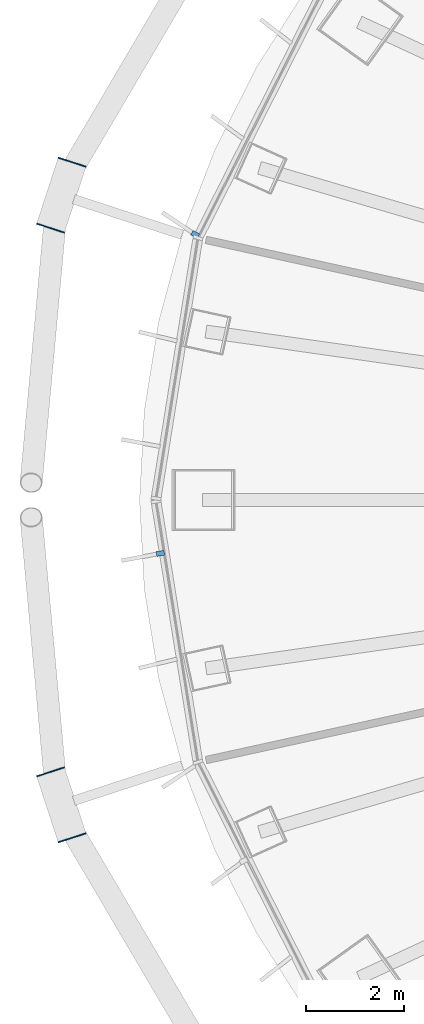
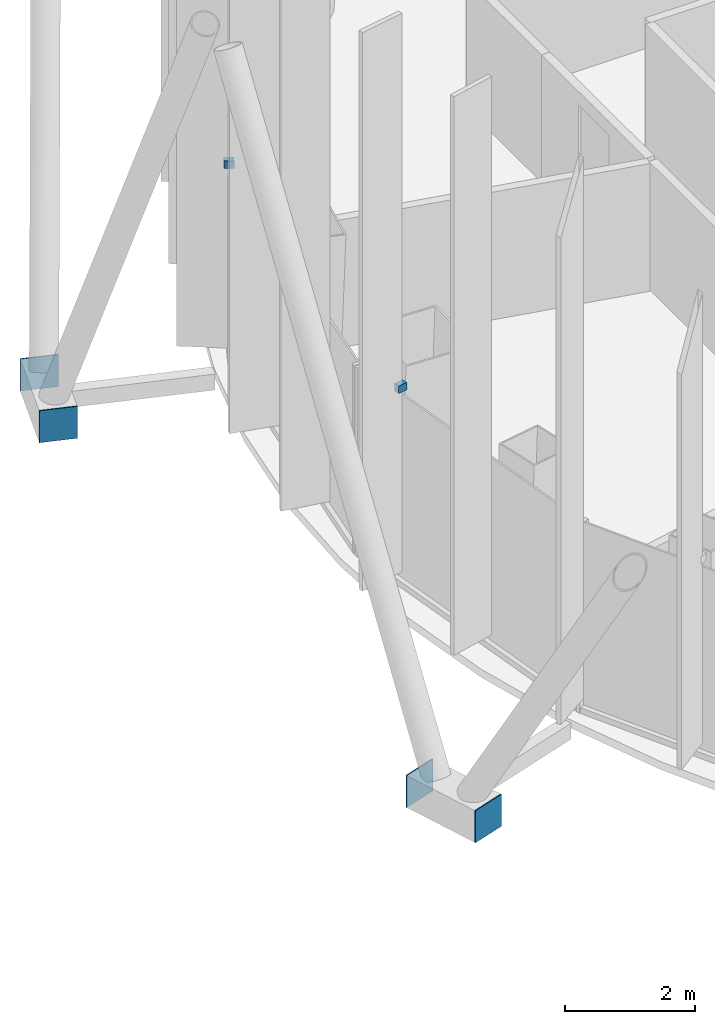
# One storey, part 12 of 19: 6 discrete accessories.
"""IFC4 building model written with IfcOpenShell, lengths in metres."""

from ifc_helpers import new_model, si_unit, direction, frame, origin, origin_2d, place, context, subcontext, project, spatial, rectangle, extrude, material, layer, layer_set, type_object, element, save


model = new_model("IFC4")

# Units and contexts
model_context = context("Model", 3, precision=1e-05, world=origin(), true_north=direction((0.0, 1.0)))
body_context = subcontext(model_context, "Body", "Model", "MODEL_VIEW")
ifc_project = project(units=[si_unit("LENGTHUNIT", "METRE"), si_unit("AREAUNIT", "SQUARE_METRE"), si_unit("VOLUMEUNIT", "CUBIC_METRE"), si_unit("PLANEANGLEUNIT", "RADIAN"), si_unit("MASSUNIT", "GRAM", prefix="KILO")], contexts=[model_context])

# Site, building, storey
site_placement = place(None, origin())
site = spatial("IfcSite", under=ifc_project, at=site_placement, CompositionType="ELEMENT")
building_placement = place(site_placement, origin())
building = spatial("IfcBuilding", under=site, at=building_placement, Name="Siaravel Broadcast Tower", CompositionType="ELEMENT")
storey_placement = place(building_placement, frame((0.0, 0.0, 119.300048828125)))
storey = spatial("IfcBuildingStorey", under=building, at=storey_placement, Name="L28", CompositionType="ELEMENT", Elevation=119.300048828125)

# Discrete accessories
ifc_material_1 = material(Name="Stainless steel 316", Category="steel")
discrete_accessory_type_1 = type_object("IfcDiscreteAccessoryType", Name="Stainless steel fin bracket", PredefinedType="USERDEFINED", material=ifc_material_1)
for number, where, z_axis, x_axis, name in (
    (1, (-24.46337890625, 5.4326171875, 3.68505859375), (0.0, 0.0, 1.0), (-0.892392151, 0.451260732, 0.0), "Fin bracket L28-31"),
    (2, (-25.176513671875, -1.0927734375, 3.68505859375), (0.0, 0.0, 1.0), (-0.987329198, -0.158685394, 0.0), "Fin bracket L28-34"),
):
    element("IfcDiscreteAccessory", number, at=place(storey_placement, frame(where, z_axis=z_axis, x_axis=x_axis)), inside=storey, type_object=discrete_accessory_type_1, Name=name, ObjectType="BRACKET", PredefinedType="USERDEFINED", context=body_context, shape_type="SweptSolid", body=[
        extrude(rectangle(XDim=0.159912109375, YDim=0.10009765625, at=origin_2d()), origin(), (0.0, 0.0, 1.0), 0.139892578125),
    ])
ifc_material_2 = material(Name="Steel S355", Category="steel")
ifc_layer = layer(ifc_material_2, 0.02001953125)
ifc_layer_set = layer_set([ifc_layer], Name="Steel S355")
discrete_accessory_type_2 = type_object("IfcDiscreteAccessoryType", Name="Steel end plate 20 mm", PredefinedType="USERDEFINED", material=ifc_layer_set)
for number, where, z_axis, x_axis, name in (
    (3, (-27.4248046875, 5.56201171875, -0.5), (0.0, 0.0, 1.0), (-0.310908675, -0.950439791, 0.0), "End plate R12 station 33A"),
    (4, (-26.9833984375, 6.911376953125, -0.5), (0.0, 0.0, 1.0), (-0.310908675, -0.950439791, 0.0), "End plate R12 station 33B"),
    (5, (-26.9833984375, -6.911376953125, -0.5), (0.0, 0.0, 1.0), (0.310908675, -0.950439791, 0.0), "End plate R12 station 39A"),
    (6, (-27.4248046875, -5.56201171875, -0.5), (0.0, 0.0, 1.0), (0.310908675, -0.950439791, 0.0), "End plate R12 station 39B"),
):
    element("IfcDiscreteAccessory", number, at=place(storey_placement, frame(where, z_axis=z_axis, x_axis=x_axis)), inside=storey, type_object=discrete_accessory_type_2, Name=name, ObjectType="END PLATE", PredefinedType="USERDEFINED", context=body_context, shape_type="SweptSolid", body=[
        extrude(rectangle(XDim=0.02001953125, YDim=0.60009765625, at=origin_2d()), origin(), (0.0, 0.0, 1.0), 0.60009765625),
    ])

save(model, "model.ifc")
